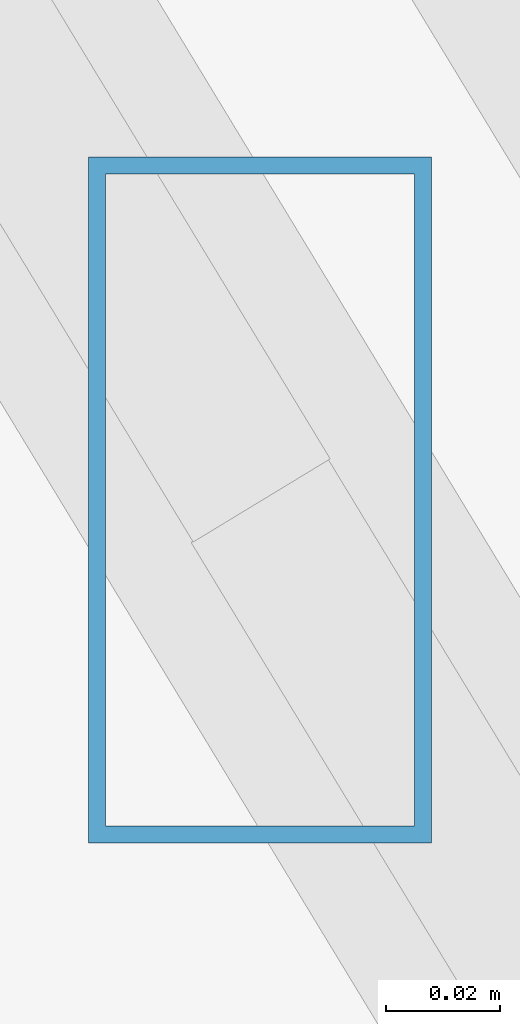
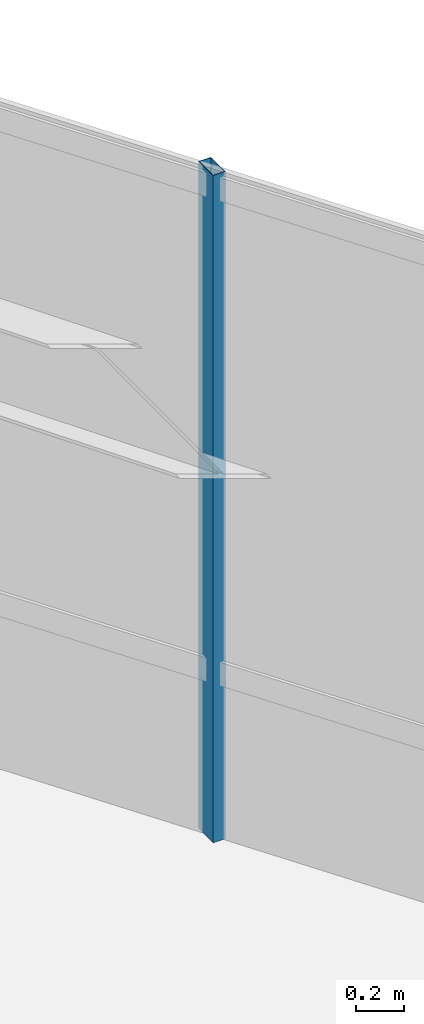
# One storey, part 23 of 42: 1 member, 1 element without a shape of its own.
"""IFC4 building model written with IfcOpenShell, lengths in metres."""

from ifc_helpers import new_model, si_unit, direction, frame, origin, origin_2d, place, context, subcontext, project, spatial, hollow_rectangle, extrude, source, transform, mapped, material, material_profile, profile_set, type_object, type_shapes, element, aggregate, save


model = new_model("IFC4")

# Units and contexts
model_context = context("Model", 3, precision=1e-05, world=origin(), true_north=direction((0.0, 1.0)))
body_context = subcontext(model_context, "Body", "Model", "MODEL_VIEW")
ifc_project = project(units=[si_unit("LENGTHUNIT", "METRE"), si_unit("AREAUNIT", "SQUARE_METRE"), si_unit("VOLUMEUNIT", "CUBIC_METRE"), si_unit("PLANEANGLEUNIT", "RADIAN"), si_unit("MASSUNIT", "GRAM", prefix="KILO")], contexts=[model_context])

# Site, building, storey
site_placement = place(None, origin())
site = spatial("IfcSite", under=ifc_project, at=site_placement, CompositionType="ELEMENT")
building_placement = place(site_placement, origin())
building = spatial("IfcBuilding", under=site, at=building_placement, Name="Caelisora Broadcast Tower", CompositionType="ELEMENT")
storey_placement = place(building_placement, frame((0.0, 0.0, 244.449951171875)))
storey = spatial("IfcBuildingStorey", under=building, at=storey_placement, Name="L64", CompositionType="ELEMENT", Elevation=244.449951171875)

# Curtain wall, member
ifc_material_1 = material(Name="Unitised Aluminium and Low-E Glass Curtain Wall", Category="glass")
curtain_wall_type = type_object("IfcCurtainWallType", Name="CW-Z5", PredefinedType="NOTDEFINED", material=ifc_material_1)
curtain_wall_placement = place(storey_placement, origin())
curtain_wall = element("IfcCurtainWall", 1, at=curtain_wall_placement, inside=storey, type_object=curtain_wall_type, Name="L64 curtain wall CW-Z5", PredefinedType="NOTDEFINED")
ifc_material_2 = material(Name="Aluminium 6063-T6 Anodised Terracotta Bronze", Category="aluminium")
ifc_material_profile = material_profile(ifc_material_2, hollow_rectangle(XDim=0.06005859375, YDim=0.1201171875, WallThickness=0.0029296875, at=origin_2d()), Name="Aluminium 6063-T6 Anodised Terracotta Bronze")
ifc_profile_set = profile_set([ifc_material_profile], Name="Aluminium 6063-T6 Anodised Terracotta Bronze")
member_type = type_object("IfcMemberType", Name="CWM-04", PredefinedType="MULLION", material=ifc_profile_set)
shared_shape = source(origin(), body_context, "Body", "SweptSolid", [
    extrude(hollow_rectangle(XDim=0.06005859375, YDim=0.1201171875, WallThickness=0.0029296875, at=origin_2d()), origin(), (0.0, 0.0, 1.0), 3.400146484375),
])
type_shapes(member_type, [shared_shape])
member_placement = place(storey_placement, frame((58.017333984375, 21.733154296875, 0.0), z_axis=(0.0, 0.0, 1.0), x_axis=(1.0, 0.0, 0.0)))
member = element("IfcMember", 2, at=member_placement, type_object=member_type, Name="L64-CW-B03 mullion #1", PredefinedType="MULLION", context=body_context, shape_type="MappedRepresentation", body=[
    mapped(shared_shape, transform((0.0, 0.0, 0.0), scale=1.0)),
])
aggregate(curtain_wall, [member])

save(model, "model.ifc")
